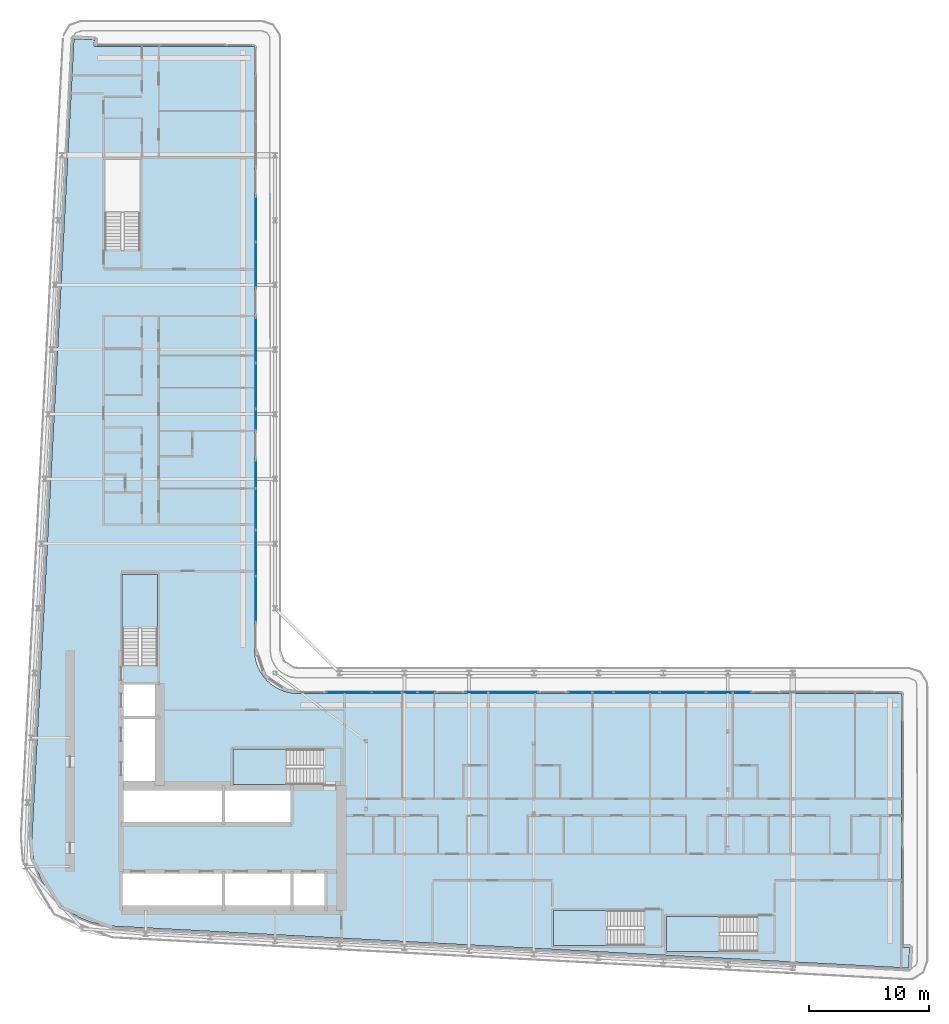
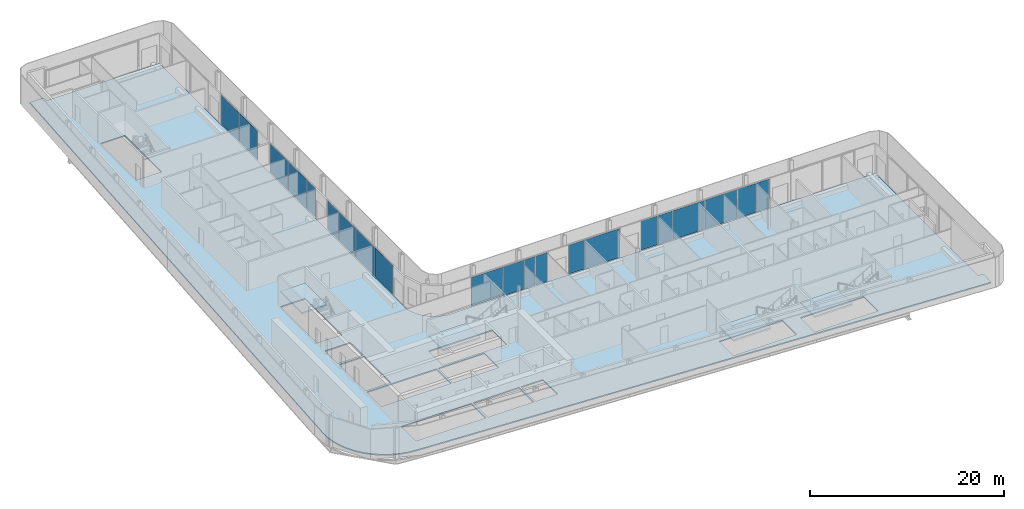
# One storey, part 12 of 28: 21 plates, 5 slabs, 14 elements without a shape of their own.
"""IFC4 building model written with IfcOpenShell, lengths in metres."""

from ifc_helpers import new_model, si_unit, direction, frame, origin, origin_2d, place, context, subcontext, project, spatial, polyline, rectangle, outline, extrude, material, layer, layer_set, type_object, element, aggregate, save


model = new_model("IFC4")

# Units and contexts
model_context = context("Model", 3, precision=1e-05, world=origin(), true_north=direction((0.0, 1.0)))
body_context = subcontext(model_context, "Body", "Model", "MODEL_VIEW")
ifc_project = project(units=[si_unit("LENGTHUNIT", "METRE"), si_unit("AREAUNIT", "SQUARE_METRE"), si_unit("VOLUMEUNIT", "CUBIC_METRE"), si_unit("PLANEANGLEUNIT", "RADIAN"), si_unit("MASSUNIT", "GRAM", prefix="KILO")], contexts=[model_context])

# Site, building, storey
site_placement = place(None, origin())
site = spatial("IfcSite", under=ifc_project, at=site_placement, CompositionType="ELEMENT")
building_placement = place(site_placement, origin())
building = spatial("IfcBuilding", under=site, at=building_placement, Name="Kheshtan School and Residences Tower", CompositionType="ELEMENT")
storey_placement = place(building_placement, frame((0.0, 0.0, 191.60009765625)))
storey = spatial("IfcBuildingStorey", under=building, at=storey_placement, Name="L45", CompositionType="ELEMENT", Elevation=191.60009765625)

# Curtain wall, plates
ifc_material_1 = material(Name="Clear low-e glass in thermally broken aluminium frame", Category="aluminium")
ifc_layer_1 = layer(ifc_material_1, 0.199951171875)
ifc_layer_set_1 = layer_set([ifc_layer_1], Name="Curtain wall CW-L")
curtain_wall_type = type_object("IfcCurtainWallType", Name="Curtain wall CW-L", PredefinedType="NOTDEFINED", material=ifc_layer_set_1)
curtain_wall_1_placement = place(storey_placement, origin())
curtain_wall_1 = element("IfcCurtainWall", 1, at=curtain_wall_1_placement, inside=storey, type_object=curtain_wall_type, Name="Curtain wall CWL8", PredefinedType="NOTDEFINED")
ifc_layer_2 = layer(ifc_material_1, 0.031982421875)
ifc_layer_set_2 = layer_set([ifc_layer_2], Name="CW-L glass panel")
plate_type = type_object("IfcPlateType", Name="CW-L glass panel", PredefinedType="CURTAIN_PANEL", material=ifc_layer_set_2)
plate_1_placement = place(storey_placement, frame((46.0, 83.467529296875, 0.0), z_axis=(0.0, 0.0, 1.0), x_axis=(0.0, -1.0, 0.0)))
plate_1 = element("IfcPlate", 2, at=plate_1_placement, type_object=plate_type, Name="CWL8 panel 1.1", PredefinedType="CURTAIN_PANEL", context=body_context, shape_type="SweptSolid", body=[
    extrude(rectangle(XDim=3.757080078125, YDim=0.031982421875, at=origin_2d()), origin(), (0.0, 0.0, 1.0), 3.6298828125),
])
plate_2_placement = place(storey_placement, frame((46.0, 79.650390625, 0.0), z_axis=(0.0, 0.0, 1.0), x_axis=(0.0, -1.0, 0.0)))
plate_2 = element("IfcPlate", 3, at=plate_2_placement, type_object=plate_type, Name="CWL8 panel 2.1", PredefinedType="CURTAIN_PANEL", context=body_context, shape_type="SweptSolid", body=[
    extrude(rectangle(XDim=3.757080078125, YDim=0.031982421875, at=origin_2d()), origin(), (0.0, 0.0, 1.0), 3.6298828125),
])
aggregate(curtain_wall_1, [plate_1, plate_2])

curtain_wall_2_placement = place(storey_placement, origin())
curtain_wall_2 = element("IfcCurtainWall", 4, at=curtain_wall_2_placement, inside=storey, type_object=curtain_wall_type, Name="Curtain wall CWL8", PredefinedType="NOTDEFINED")
plate_3_placement = place(storey_placement, frame((46.0, 73.37353515625, 0.0), z_axis=(0.0, 0.0, 1.0), x_axis=(0.0, -1.0, 0.0)))
plate_3 = element("IfcPlate", 5, at=plate_3_placement, type_object=plate_type, Name="CWL8 panel 1.1", PredefinedType="CURTAIN_PANEL", context=body_context, shape_type="SweptSolid", body=[
    extrude(rectangle(XDim=3.757080078125, YDim=0.031982421875, at=origin_2d()), origin(), (0.0, 0.0, 1.0), 3.6298828125),
])
plate_4_placement = place(storey_placement, frame((46.0, 69.556396484375, 0.0), z_axis=(0.0, 0.0, 1.0), x_axis=(0.0, -1.0, 0.0)))
plate_4 = element("IfcPlate", 6, at=plate_4_placement, type_object=plate_type, Name="CWL8 panel 2.1", PredefinedType="CURTAIN_PANEL", context=body_context, shape_type="SweptSolid", body=[
    extrude(rectangle(XDim=3.757080078125, YDim=0.031982421875, at=origin_2d()), origin(), (0.0, 0.0, 1.0), 3.6298828125),
])
aggregate(curtain_wall_2, [plate_3, plate_4])

# Curtain wall, plate
curtain_wall_3_placement = place(storey_placement, origin())
curtain_wall_3 = element("IfcCurtainWall", 7, at=curtain_wall_3_placement, inside=storey, type_object=curtain_wall_type, Name="Curtain wall CWL8e", PredefinedType="NOTDEFINED")
plate_5_placement = place(storey_placement, frame((46.0, 66.748046875, 0.0), z_axis=(0.0, 0.0, 1.0), x_axis=(0.0, -1.0, 0.0)))
plate_5 = element("IfcPlate", 8, at=plate_5_placement, type_object=plate_type, Name="CWL8e panel 1.1", PredefinedType="CURTAIN_PANEL", context=body_context, shape_type="SweptSolid", body=[
    extrude(rectangle(XDim=1.739990234375, YDim=0.031982421875, at=origin_2d()), origin(), (0.0, 0.0, 1.0), 3.6298828125),
])
aggregate(curtain_wall_3, [plate_5])

# Curtain wall, plates
curtain_wall_4_placement = place(storey_placement, origin())
curtain_wall_4 = element("IfcCurtainWall", 9, at=curtain_wall_4_placement, inside=storey, type_object=curtain_wall_type, Name="Curtain wall CWL8m", PredefinedType="NOTDEFINED")
plate_6_placement = place(storey_placement, frame((46.0, 62.194091796875, 0.0), z_axis=(0.0, 0.0, 1.0), x_axis=(0.0, -1.0, 0.0)))
plate_6 = element("IfcPlate", 10, at=plate_6_placement, type_object=plate_type, Name="CWL8m panel 1.1", PredefinedType="CURTAIN_PANEL", context=body_context, shape_type="SweptSolid", body=[
    extrude(rectangle(XDim=2.327880859375, YDim=0.031982421875, at=origin_2d()), origin(), (0.0, 0.0, 1.0), 3.6298828125),
])
plate_7_placement = place(storey_placement, frame((46.0, 59.277099609375, 0.0), z_axis=(0.0, 0.0, 1.0), x_axis=(0.0, -1.0, 0.0)))
plate_7 = element("IfcPlate", 11, at=plate_7_placement, type_object=plate_type, Name="CWL8m panel 2.1", PredefinedType="CURTAIN_PANEL", context=body_context, shape_type="SweptSolid", body=[
    extrude(rectangle(XDim=3.385986328125, YDim=0.031982421875, at=origin_2d()), origin(), (0.0, 0.0, 1.0), 3.6298828125),
])
aggregate(curtain_wall_4, [plate_6, plate_7])

curtain_wall_5_placement = place(storey_placement, origin())
curtain_wall_5 = element("IfcCurtainWall", 12, at=curtain_wall_5_placement, inside=storey, type_object=curtain_wall_type, Name="Curtain wall CWL8", PredefinedType="NOTDEFINED")
plate_8_placement = place(storey_placement, frame((46.0, 55.615478515625, 0.0), z_axis=(0.0, 0.0, 1.0), x_axis=(0.0, -1.0, 0.0)))
plate_8 = element("IfcPlate", 13, at=plate_8_placement, type_object=plate_type, Name="CWL8 panel 1.1", PredefinedType="CURTAIN_PANEL", context=body_context, shape_type="SweptSolid", body=[
    extrude(rectangle(XDim=3.81689453125, YDim=0.031982421875, at=origin_2d()), origin(), (0.0, 0.0, 1.0), 3.6298828125),
])
plate_9_placement = place(storey_placement, frame((46.0, 51.7685546875, 0.0), z_axis=(0.0, 0.0, 1.0), x_axis=(0.0, -1.0, 0.0)))
plate_9 = element("IfcPlate", 14, at=plate_9_placement, type_object=plate_type, Name="CWL8 panel 2.1", PredefinedType="CURTAIN_PANEL", context=body_context, shape_type="SweptSolid", body=[
    extrude(rectangle(XDim=3.757080078125, YDim=0.031982421875, at=origin_2d()), origin(), (0.0, 0.0, 1.0), 3.6298828125),
])
aggregate(curtain_wall_5, [plate_8, plate_9])

curtain_wall_6_placement = place(storey_placement, origin())
curtain_wall_6 = element("IfcCurtainWall", 15, at=curtain_wall_6_placement, inside=storey, type_object=curtain_wall_type, Name="Curtain wall CWL12k", PredefinedType="NOTDEFINED")
plate_10_placement = place(storey_placement, frame((53.7685546875, 44.0, 0.0), z_axis=(0.0, 0.0, 1.0), x_axis=(1.0, 0.0, 0.0)))
plate_10 = element("IfcPlate", 16, at=plate_10_placement, type_object=plate_type, Name="CWL12k panel 1.1", PredefinedType="CURTAIN_PANEL", context=body_context, shape_type="SweptSolid", body=[
    extrude(rectangle(XDim=3.757080078125, YDim=0.031982421875, at=origin_2d()), origin(), (0.0, 0.0, 1.0), 3.6298828125),
])
plate_11_placement = place(storey_placement, frame((56.9384765625, 44.0, 0.0), z_axis=(0.0, 0.0, 1.0), x_axis=(1.0, 0.0, 0.0)))
plate_11 = element("IfcPlate", 17, at=plate_11_placement, type_object=plate_type, Name="CWL12k panel 2.1", PredefinedType="CURTAIN_PANEL", context=body_context, shape_type="SweptSolid", body=[
    extrude(rectangle(XDim=2.462890625, YDim=0.031982421875, at=origin_2d()), origin(), (0.0, 0.0, 1.0), 3.6298828125),
])
plate_12_placement = place(storey_placement, frame((58.846923828125, 44.0, 0.0), z_axis=(0.0, 0.0, 1.0), x_axis=(1.0, 0.0, 0.0)))
plate_12 = element("IfcPlate", 18, at=plate_12_placement, type_object=plate_type, Name="CWL12k panel 3.1", PredefinedType="CURTAIN_PANEL", context=body_context, shape_type="SweptSolid", body=[
    extrude(rectangle(XDim=1.23388671875, YDim=0.031982421875, at=origin_2d()), origin(), (0.0, 0.0, 1.0), 3.6298828125),
])
aggregate(curtain_wall_6, [plate_10, plate_11, plate_12])

# Curtain wall, plate
curtain_wall_7_placement = place(storey_placement, origin())
curtain_wall_7 = element("IfcCurtainWall", 19, at=curtain_wall_7_placement, inside=storey, type_object=curtain_wall_type, Name="Curtain wall CWL12w", PredefinedType="NOTDEFINED")
plate_13_placement = place(storey_placement, frame((60.243896484375, 44.0, 0.0), z_axis=(0.0, 0.0, 1.0), x_axis=(1.0, 0.0, 0.0)))
plate_13 = element("IfcPlate", 20, at=plate_13_placement, type_object=plate_type, Name="CWL12w panel 1.1", PredefinedType="CURTAIN_PANEL", context=body_context, shape_type="SweptSolid", body=[
    extrude(rectangle(XDim=1.43994140625, YDim=0.031982421875, at=origin_2d()), origin(), (0.0, 0.0, 1.0), 3.6298828125),
])
aggregate(curtain_wall_7, [plate_13])

# Curtain wall, plates
curtain_wall_8_placement = place(storey_placement, origin())
curtain_wall_8 = element("IfcCurtainWall", 21, at=curtain_wall_8_placement, inside=storey, type_object=curtain_wall_type, Name="Curtain wall CWL1227", PredefinedType="NOTDEFINED")
plate_14_placement = place(storey_placement, frame((64.427001953125, 44.0, 0.0), z_axis=(0.0, 0.0, 1.0), x_axis=(1.0, 0.0, 0.0)))
plate_14 = element("IfcPlate", 22, at=plate_14_placement, type_object=plate_type, Name="CWL1227 panel 1.1", PredefinedType="CURTAIN_PANEL", context=body_context, shape_type="SweptSolid", body=[
    extrude(rectangle(XDim=1.885986328125, YDim=0.031982421875, at=origin_2d()), origin(), (0.0, 0.0, 1.0), 3.6298828125),
])
plate_15_placement = place(storey_placement, frame((67.493896484375, 44.0, 0.0), z_axis=(0.0, 0.0, 1.0), x_axis=(1.0, 0.0, 0.0)))
plate_15 = element("IfcPlate", 23, at=plate_15_placement, type_object=plate_type, Name="CWL1227 panel 2.1", PredefinedType="CURTAIN_PANEL", context=body_context, shape_type="SweptSolid", body=[
    extrude(rectangle(XDim=4.1279296875, YDim=0.031982421875, at=origin_2d()), origin(), (0.0, 0.0, 1.0), 3.6298828125),
])
aggregate(curtain_wall_8, [plate_14, plate_15])

curtain_wall_9_placement = place(storey_placement, origin())
curtain_wall_9 = element("IfcCurtainWall", 24, at=curtain_wall_9_placement, inside=storey, type_object=curtain_wall_type, Name="Curtain wall CWL12k", PredefinedType="NOTDEFINED")
plate_16_placement = place(storey_placement, frame((73.073974609375, 44.0, 0.0), z_axis=(0.0, 0.0, 1.0), x_axis=(1.0, 0.0, 0.0)))
plate_16 = element("IfcPlate", 25, at=plate_16_placement, type_object=plate_type, Name="CWL12k panel 1.1", PredefinedType="CURTAIN_PANEL", context=body_context, shape_type="SweptSolid", body=[
    extrude(rectangle(XDim=1.991943359375, YDim=0.031982421875, at=origin_2d()), origin(), (0.0, 0.0, 1.0), 3.6298828125),
])
plate_17_placement = place(storey_placement, frame((74.982421875, 44.0, 0.0), z_axis=(0.0, 0.0, 1.0), x_axis=(1.0, 0.0, 0.0)))
plate_17 = element("IfcPlate", 26, at=plate_17_placement, type_object=plate_type, Name="CWL12k panel 2.1", PredefinedType="CURTAIN_PANEL", context=body_context, shape_type="SweptSolid", body=[
    extrude(rectangle(XDim=1.705078125, YDim=0.031982421875, at=origin_2d()), origin(), (0.0, 0.0, 1.0), 3.6298828125),
])
plate_18_placement = place(storey_placement, frame((77.7734375, 44.0, 0.0), z_axis=(0.0, 0.0, 1.0), x_axis=(1.0, 0.0, 0.0)))
plate_18 = element("IfcPlate", 27, at=plate_18_placement, type_object=plate_type, Name="CWL12k panel 3.1", PredefinedType="CURTAIN_PANEL", context=body_context, shape_type="SweptSolid", body=[
    extrude(rectangle(XDim=3.757080078125, YDim=0.031982421875, at=origin_2d()), origin(), (0.0, 0.0, 1.0), 3.6298828125),
])
aggregate(curtain_wall_9, [plate_16, plate_17, plate_18])

curtain_wall_10_placement = place(storey_placement, origin())
curtain_wall_10 = element("IfcCurtainWall", 28, at=curtain_wall_10_placement, inside=storey, type_object=curtain_wall_type, Name="Curtain wall CWL12k", PredefinedType="NOTDEFINED")
plate_19_placement = place(storey_placement, frame((81.62060546875, 44.0, 0.0), z_axis=(0.0, 0.0, 1.0), x_axis=(1.0, 0.0, 0.0)))
plate_19 = element("IfcPlate", 29, at=plate_19_placement, type_object=plate_type, Name="CWL12k panel 1.1", PredefinedType="CURTAIN_PANEL", context=body_context, shape_type="SweptSolid", body=[
    extrude(rectangle(XDim=3.81689453125, YDim=0.031982421875, at=origin_2d()), origin(), (0.0, 0.0, 1.0), 3.6298828125),
])
plate_20_placement = place(storey_placement, frame((84.679443359375, 44.0, 0.0), z_axis=(0.0, 0.0, 1.0), x_axis=(1.0, 0.0, 0.0)))
plate_20 = element("IfcPlate", 30, at=plate_20_placement, type_object=plate_type, Name="CWL12k panel 2.1", PredefinedType="CURTAIN_PANEL", context=body_context, shape_type="SweptSolid", body=[
    extrude(rectangle(XDim=2.180908203125, YDim=0.031982421875, at=origin_2d()), origin(), (0.0, 0.0, 1.0), 3.6298828125),
])
plate_21_placement = place(storey_placement, frame((86.587890625, 44.0, 0.0), z_axis=(0.0, 0.0, 1.0), x_axis=(1.0, 0.0, 0.0)))
plate_21 = element("IfcPlate", 31, at=plate_21_placement, type_object=plate_type, Name="CWL12k panel 3.1", PredefinedType="CURTAIN_PANEL", context=body_context, shape_type="SweptSolid", body=[
    extrude(rectangle(XDim=1.51611328125, YDim=0.031982421875, at=origin_2d()), origin(), (0.0, 0.0, 1.0), 3.6298828125),
])
aggregate(curtain_wall_10, [plate_19, plate_20, plate_21])

# Slab
ifc_material_2 = material(Name="Concrete C40/50", Category="concrete")
ifc_layer_3 = layer(ifc_material_2, 0.14990234375)
ifc_layer_set_3 = layer_set([ifc_layer_3], Name="Floor slab 150 Concrete C40/50")
slab_type_1 = type_object("IfcSlabType", Name="Floor slab 150 Concrete C40/50", PredefinedType="FLOOR", material=ifc_layer_set_3)
slab_1_placement = place(storey_placement, frame((0.0, 0.0, -0.150146484375)))
element("IfcSlab", 32, at=slab_1_placement, inside=storey, type_object=slab_type_1, Name="Floor slab L45", PredefinedType="FLOOR", context=body_context, shape_type="SweptSolid", body=[
    extrude(outline(polyline([(27.718017578125, 29.200927734375), (27.466064453125, 30.093017578125), (27.466064453125, 30.093994140625), (27.3330078125, 31.013916015625), (27.320068359375, 31.965087890625), (27.320068359375, 31.970947265625), (30.822021484375, 98.5009765625), (30.822998046875, 98.508056640625), (30.825927734375, 98.531005859375), (30.825927734375, 98.531982421875), (30.826904296875, 98.531982421875), (31.422119140625, 98.5), (31.423095703125, 98.5), (31.423095703125, 98.4990234375), (31.423095703125, 98.4951171875), (31.423095703125, 98.493896484375), (31.424072265625, 98.493896484375), (31.424072265625, 98.492919921875), (31.425048828125, 98.492919921875), (31.426025390625, 98.492919921875), (31.426025390625, 98.493896484375), (31.427978515625, 98.49609375), (31.428955078125, 98.4970703125), (31.429931640625, 98.498046875), (31.430908203125, 98.498046875), (31.430908203125, 98.4990234375), (31.431884765625, 98.4990234375), (31.431884765625, 98.5), (31.43505859375, 98.5009765625), (31.43603515625, 98.501953125), (31.43896484375, 98.501953125), (31.43994140625, 98.501953125), (31.43994140625, 98.5029296875), (31.44091796875, 98.5029296875), (31.446044921875, 98.5029296875), (32.5009765625, 98.447021484375), (32.50390625, 98.447021484375), (32.5048828125, 98.447021484375), (32.5048828125, 98.446044921875), (32.506103515625, 98.446044921875), (32.510009765625, 98.446044921875), (32.510009765625, 98.445068359375), (32.510986328125, 98.445068359375), (32.510986328125, 98.444091796875), (32.511962890625, 98.444091796875), (32.511962890625, 98.443115234375), (32.512939453125, 98.443115234375), (32.513916015625, 98.443115234375), (32.513916015625, 98.44189453125), (32.514892578125, 98.44189453125), (32.51611328125, 98.44189453125), (32.51904296875, 98.43896484375), (32.51904296875, 98.43798828125), (32.51904296875, 98.43701171875), (32.52001953125, 98.43701171875), (32.52001953125, 98.43603515625), (32.52099609375, 98.43603515625), (32.52099609375, 98.43408203125), (32.52099609375, 98.43310546875), (32.52197265625, 98.43310546875), (32.52197265625, 98.431884765625), (32.52294921875, 98.431884765625), (32.52294921875, 98.430908203125), (32.52294921875, 98.428955078125), (32.52294921875, 98.427978515625), (32.52392578125, 98.427978515625), (32.52392578125, 98.427001953125), (32.52392578125, 98.422119140625), (32.4970703125, 97.9208984375), (32.4970703125, 97.91796875), (32.4970703125, 97.9169921875), (32.49609375, 97.9169921875), (32.49609375, 97.916015625), (32.49609375, 97.912109375), (32.4951171875, 97.910888671875), (32.4951171875, 97.909912109375), (32.493896484375, 97.909912109375), (32.493896484375, 97.908935546875), (32.492919921875, 97.908935546875), (32.492919921875, 97.907958984375), (32.489013671875, 97.904052734375), (32.488037109375, 97.904052734375), (32.488037109375, 97.903076171875), (32.488037109375, 97.902099609375), (32.488037109375, 97.90087890625), (32.489013671875, 97.90087890625), (32.489013671875, 97.89990234375), (32.489990234375, 97.89990234375), (45.85498046875, 97.89990234375), (45.864990234375, 97.89794921875), (45.865966796875, 97.89794921875), (45.868896484375, 97.89599609375), (45.8740234375, 97.89404296875), (45.8779296875, 97.89208984375), (45.881103515625, 97.889892578125), (45.881103515625, 97.888916015625), (45.882080078125, 97.888916015625), (45.882080078125, 97.887939453125), (45.883056640625, 97.887939453125), (45.884033203125, 97.885009765625), (45.885009765625, 97.885009765625), (45.885009765625, 97.884033203125), (45.887939453125, 97.883056640625), (45.887939453125, 97.882080078125), (45.888916015625, 97.882080078125), (45.888916015625, 97.881103515625), (45.889892578125, 97.881103515625), (45.89208984375, 97.8779296875), (45.89404296875, 97.8740234375), (45.89599609375, 97.868896484375), (45.89794921875, 97.865966796875), (45.89794921875, 97.864990234375), (45.89990234375, 97.85498046875), (45.89990234375, 47.429931640625), (45.927001953125, 47.030029296875), (46.01806640625, 46.570068359375), (46.01806640625, 46.569091796875), (46.169921875, 46.1201171875), (46.37890625, 45.697021484375), (46.638916015625, 45.30810546875), (46.949951171875, 44.950927734375), (46.950927734375, 44.949951171875), (47.30810546875, 44.638916015625), (47.697021484375, 44.37890625), (48.1201171875, 44.169921875), (48.569091796875, 44.01806640625), (48.570068359375, 44.01806640625), (49.030029296875, 43.927001953125), (49.429931640625, 43.89990234375), (99.85498046875, 43.89990234375), (99.864990234375, 43.89794921875), (99.865966796875, 43.89794921875), (99.868896484375, 43.89599609375), (99.8740234375, 43.89404296875), (99.8779296875, 43.89208984375), (99.881103515625, 43.889892578125), (99.881103515625, 43.888916015625), (99.882080078125, 43.888916015625), (99.882080078125, 43.887939453125), (99.883056640625, 43.887939453125), (99.884033203125, 43.885009765625), (99.885009765625, 43.885009765625), (99.885009765625, 43.884033203125), (99.887939453125, 43.883056640625), (99.887939453125, 43.882080078125), (99.888916015625, 43.882080078125), (99.888916015625, 43.881103515625), (99.889892578125, 43.881103515625), (99.89208984375, 43.8779296875), (99.89404296875, 43.8740234375), (99.89599609375, 43.868896484375), (99.89794921875, 43.865966796875), (99.89794921875, 43.864990234375), (99.89990234375, 43.85498046875), (99.89990234375, 22.708984375), (99.89990234375, 22.7080078125), (99.90087890625, 22.7080078125), (99.90087890625, 22.70703125), (99.902099609375, 22.70703125), (99.903076171875, 22.70703125), (99.903076171875, 22.7080078125), (99.905029296875, 22.7099609375), (99.906982421875, 22.7119140625), (99.907958984375, 22.7119140625), (99.907958984375, 22.712890625), (99.908935546875, 22.712890625), (99.908935546875, 22.714111328125), (99.909912109375, 22.714111328125), (99.912109375, 22.715087890625), (99.9130859375, 22.716064453125), (99.916015625, 22.716064453125), (99.9169921875, 22.716064453125), (99.9169921875, 22.717041015625), (99.91796875, 22.717041015625), (99.923095703125, 22.717041015625), (100.5380859375, 22.68408203125), (100.541015625, 22.68408203125), (100.5419921875, 22.68408203125), (100.5419921875, 22.68310546875), (100.54296875, 22.68310546875), (100.547119140625, 22.68310546875), (100.547119140625, 22.681884765625), (100.548095703125, 22.681884765625), (100.548095703125, 22.680908203125), (100.549072265625, 22.680908203125), (100.549072265625, 22.679931640625), (100.550048828125, 22.679931640625), (100.551025390625, 22.679931640625), (100.551025390625, 22.678955078125), (100.552001953125, 22.678955078125), (100.552978515625, 22.678955078125), (100.552978515625, 22.677978515625), (100.554931640625, 22.676025390625), (100.555908203125, 22.676025390625), (100.555908203125, 22.675048828125), (100.555908203125, 22.674072265625), (100.556884765625, 22.674072265625), (100.556884765625, 22.673095703125), (100.55810546875, 22.673095703125), (100.55810546875, 22.6708984375), (100.55810546875, 22.669921875), (100.55908203125, 22.669921875), (100.55908203125, 22.6689453125), (100.56005859375, 22.6689453125), (100.56005859375, 22.66796875), (100.56005859375, 22.666015625), (100.56005859375, 22.6650390625), (100.56103515625, 22.6650390625), (100.56103515625, 22.6640625), (100.56103515625, 22.658935546875), (100.5048828125, 21.60205078125), (100.5048828125, 21.59912109375), (100.5048828125, 21.597900390625), (100.50390625, 21.597900390625), (100.50390625, 21.596923828125), (100.50390625, 21.593017578125), (100.5029296875, 21.592041015625), (100.5029296875, 21.591064453125), (100.501953125, 21.591064453125), (100.501953125, 21.590087890625), (100.5009765625, 21.590087890625), (100.5009765625, 21.589111328125), (100.5, 21.587890625), (100.498046875, 21.5859375), (100.4970703125, 21.5849609375), (100.49609375, 21.5849609375), (100.49609375, 21.583984375), (100.49609375, 21.5830078125), (100.49609375, 21.58203125), (100.4970703125, 21.58203125), (100.4970703125, 21.5810546875), (100.498046875, 21.5810546875), (100.4990234375, 21.5810546875), (100.5, 21.5810546875), (100.5, 21.580078125), (100.468017578125, 20.985107421875), (100.468017578125, 20.98388671875), (100.467041015625, 20.98388671875), (100.443115234375, 20.98291015625), (100.43798828125, 20.98291015625), (34.056884765625, 24.47802734375), (33.114990234375, 24.590087890625), (32.215087890625, 24.819091796875), (32.214111328125, 24.819091796875), (31.35205078125, 25.1630859375), (30.541015625, 25.616943359375), (29.799072265625, 26.1708984375), (29.799072265625, 26.172119140625), (29.798095703125, 26.172119140625), (29.134033203125, 26.820068359375), (29.134033203125, 26.821044921875), (29.133056640625, 26.821044921875), (28.55908203125, 27.550048828125), (28.0849609375, 28.345947265625), (27.718017578125, 29.200927734375)]), holes=[polyline([(99.89990234375, 21.5869140625), (99.89990234375, 21.5830078125), (99.89990234375, 21.58203125), (99.90087890625, 21.58203125), (99.90087890625, 21.5810546875), (99.902099609375, 21.5810546875), (99.906005859375, 21.5810546875), (99.906982421875, 21.5810546875), (99.906982421875, 21.58203125), (99.907958984375, 21.58203125), (99.907958984375, 21.5830078125), (99.907958984375, 21.583984375), (99.906982421875, 21.583984375), (99.905029296875, 21.5859375), (99.904052734375, 21.5869140625), (99.903076171875, 21.587890625), (99.903076171875, 21.589111328125), (99.902099609375, 21.589111328125), (99.90087890625, 21.589111328125), (99.90087890625, 21.587890625), (99.89990234375, 21.587890625), (99.89990234375, 21.5869140625)]), polyline([(31.423095703125, 97.906005859375), (31.423095703125, 97.902099609375), (31.423095703125, 97.90087890625), (31.424072265625, 97.90087890625), (31.424072265625, 97.89990234375), (31.425048828125, 97.89990234375), (31.428955078125, 97.89990234375), (31.429931640625, 97.89990234375), (31.429931640625, 97.90087890625), (31.430908203125, 97.90087890625), (31.430908203125, 97.902099609375), (31.430908203125, 97.903076171875), (31.429931640625, 97.903076171875), (31.428955078125, 97.904052734375), (31.427978515625, 97.905029296875), (31.427001953125, 97.906005859375), (31.426025390625, 97.906982421875), (31.426025390625, 97.907958984375), (31.425048828125, 97.907958984375), (31.424072265625, 97.907958984375), (31.424072265625, 97.906982421875), (31.423095703125, 97.906982421875), (31.423095703125, 97.906005859375)]), polyline([(34.875, 28.925048828125), (34.875, 25.925048828125), (43.175048828125, 25.925048828125), (43.175048828125, 28.925048828125), (34.875, 28.925048828125)]), polyline([(43.175048828125, 36.074951171875), (34.875, 36.074951171875), (34.875, 33.074951171875), (43.175048828125, 33.074951171875), (43.175048828125, 36.074951171875)]), polyline([(34.875, 41.77490234375), (34.875, 36.324951171875), (37.875, 36.324951171875), (37.875, 41.77490234375), (34.875, 41.77490234375)]), polyline([(34.875, 42.02490234375), (37.875, 42.02490234375), (37.875, 44.625), (34.875, 44.625), (34.875, 42.02490234375)]), polyline([(37.800048828125, 46.25), (37.800048828125, 53.81005859375), (34.85009765625, 53.81005859375), (34.85009765625, 46.260009765625), (36.25, 46.260009765625), (36.25, 46.25), (37.800048828125, 46.25)]), polyline([(33.39990234375, 88.4599609375), (33.39990234375, 80.909912109375), (34.800048828125, 80.909912109375), (34.800048828125, 80.89990234375), (36.35009765625, 80.89990234375), (36.35009765625, 88.4599609375), (33.39990234375, 88.4599609375)]), polyline([(87.81005859375, 22.35009765625), (87.81005859375, 23.75), (87.820068359375, 23.75), (87.820068359375, 25.300048828125), (80.260009765625, 25.300048828125), (80.260009765625, 22.35009765625), (87.81005859375, 22.35009765625)]), polyline([(70.85009765625, 22.85009765625), (78.39990234375, 22.85009765625), (78.39990234375, 24.25), (78.409912109375, 24.25), (78.409912109375, 25.800048828125), (70.85009765625, 25.800048828125), (70.85009765625, 22.85009765625)]), polyline([(43.425048828125, 25.925048828125), (48.875, 25.925048828125), (48.875, 28.925048828125), (43.425048828125, 28.925048828125), (43.425048828125, 25.925048828125)]), polyline([(49.125, 25.925048828125), (51.72509765625, 25.925048828125), (51.72509765625, 28.925048828125), (49.125, 28.925048828125), (49.125, 25.925048828125)]), polyline([(43.425048828125, 33.074951171875), (48.875, 33.074951171875), (48.875, 36.074951171875), (43.425048828125, 36.074951171875), (43.425048828125, 33.074951171875)]), polyline([(51.64990234375, 39.25), (44.090087890625, 39.25), (44.090087890625, 36.300048828125), (51.639892578125, 36.300048828125), (51.639892578125, 37.699951171875), (51.64990234375, 37.699951171875), (51.64990234375, 39.25)])]), origin(), (0.0, 0.0, 1.0), 0.150146484375),
])

# Stair, slab
stair_type = type_object("IfcStairType", Name="Exit stair, half-turn", PredefinedType="HALF_TURN_STAIR", material=ifc_material_2)
stair_1_placement = place(storey_placement, origin())
stair_1 = element("IfcStair", 33, at=stair_1_placement, inside=storey, type_object=stair_type, Name="L45 Protected Exit Stair ST1", PredefinedType="HALF_TURN_STAIR")
ifc_layer_4 = layer(ifc_material_2, 0.199951171875)
ifc_layer_set_4 = layer_set([ifc_layer_4], Name="Stair landing 200 Concrete C40/50")
slab_type_2 = type_object("IfcSlabType", Name="Stair landing 200 Concrete C40/50", PredefinedType="LANDING", material=ifc_layer_set_4)
slab_2_placement = place(storey_placement, frame((0.0, 0.0, 1.75)))
slab_2 = element("IfcSlab", 34, at=slab_2_placement, type_object=slab_type_2, Name="ST1 landing 1", PredefinedType="LANDING", context=body_context, shape_type="SweptSolid", body=[
    extrude(outline(polyline([(48.570068359375, 39.25), (44.090087890625, 39.25), (44.090087890625, 36.300048828125), (48.570068359375, 36.300048828125), (48.570068359375, 39.25)])), origin(), (0.0, 0.0, 1.0), 0.199951171875),
])
aggregate(stair_1, [slab_2])

stair_2_placement = place(storey_placement, origin())
stair_2 = element("IfcStair", 35, at=stair_2_placement, inside=storey, type_object=stair_type, Name="L45 Protected Exit Stair ST2", PredefinedType="HALF_TURN_STAIR")
slab_3_placement = place(storey_placement, frame((0.0, 0.0, 1.75)))
slab_3 = element("IfcSlab", 36, at=slab_3_placement, type_object=slab_type_2, Name="ST2 landing 1", PredefinedType="LANDING", context=body_context, shape_type="SweptSolid", body=[
    extrude(outline(polyline([(37.800048828125, 49.330078125), (37.800048828125, 53.81005859375), (34.85009765625, 53.81005859375), (34.85009765625, 49.330078125), (37.800048828125, 49.330078125)])), origin(), (0.0, 0.0, 1.0), 0.199951171875),
])
aggregate(stair_2, [slab_3])

stair_3_placement = place(storey_placement, origin())
stair_3 = element("IfcStair", 37, at=stair_3_placement, inside=storey, type_object=stair_type, Name="L45 Protected Exit Stair ST4", PredefinedType="HALF_TURN_STAIR")
slab_4_placement = place(storey_placement, frame((0.0, 0.0, 1.75)))
slab_4 = element("IfcSlab", 38, at=slab_4_placement, type_object=slab_type_2, Name="ST4 landing 1", PredefinedType="LANDING", context=body_context, shape_type="SweptSolid", body=[
    extrude(outline(polyline([(84.739990234375, 25.300048828125), (80.260009765625, 25.300048828125), (80.260009765625, 22.35009765625), (84.739990234375, 22.35009765625), (84.739990234375, 25.300048828125)])), origin(), (0.0, 0.0, 1.0), 0.199951171875),
])
aggregate(stair_3, [slab_4])

stair_4_placement = place(storey_placement, origin())
stair_4 = element("IfcStair", 39, at=stair_4_placement, inside=storey, type_object=stair_type, Name="L45 Protected Exit Stair ST5", PredefinedType="HALF_TURN_STAIR")
slab_5_placement = place(storey_placement, frame((0.0, 0.0, 1.75)))
slab_5 = element("IfcSlab", 40, at=slab_5_placement, type_object=slab_type_2, Name="ST5 landing 1", PredefinedType="LANDING", context=body_context, shape_type="SweptSolid", body=[
    extrude(outline(polyline([(75.330078125, 25.800048828125), (70.85009765625, 25.800048828125), (70.85009765625, 22.85009765625), (75.330078125, 22.85009765625), (75.330078125, 25.800048828125)])), origin(), (0.0, 0.0, 1.0), 0.199951171875),
])
aggregate(stair_4, [slab_5])

save(model, "model.ifc")
